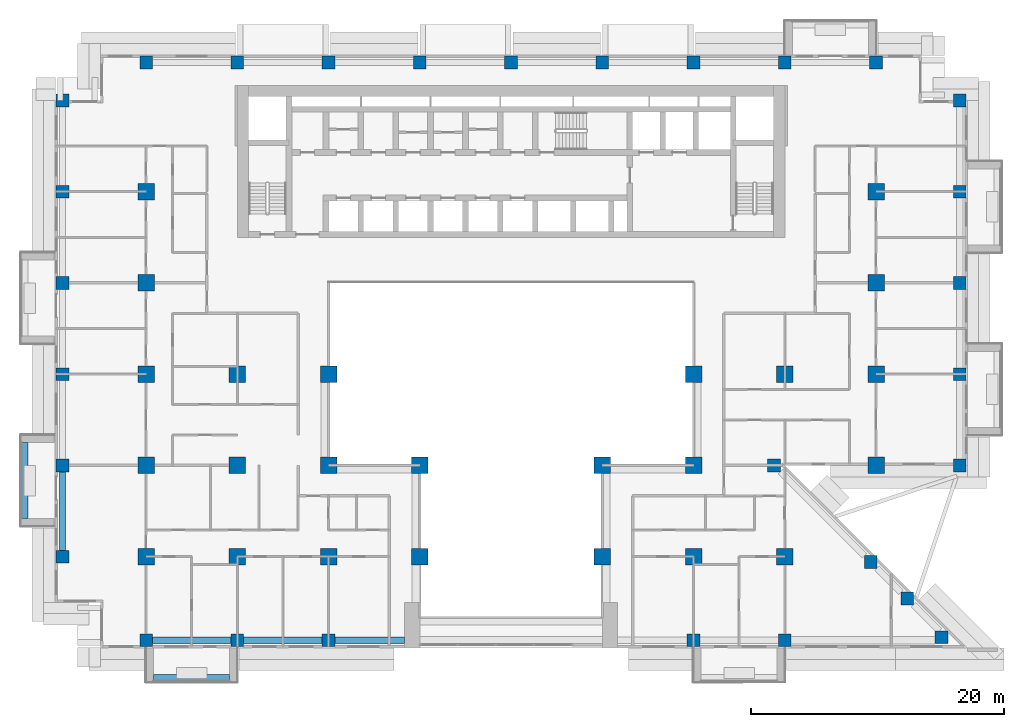
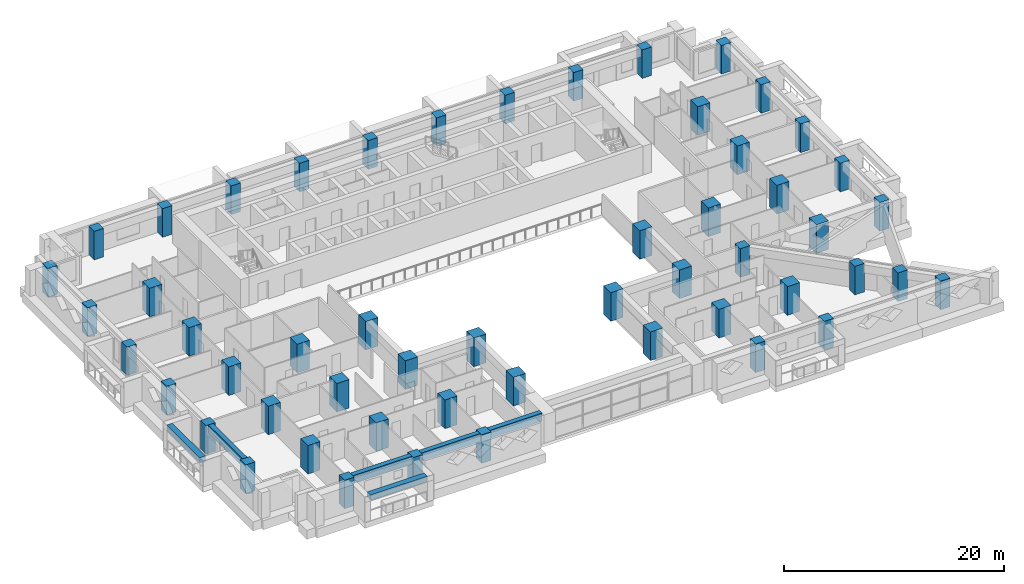
# One storey, part 1 of 17: 53 columns, 6 beams.
"""IFC4 building model written with IfcOpenShell, lengths in metres."""

from ifc_helpers import new_model, si_unit, direction, frame, origin, origin_2d, place, context, subcontext, project, spatial, rectangle, extrude, source, transform, mapped, material, material_profile, profile_set, type_object, element, save


model = new_model("IFC4")

# Units and contexts
model_context = context("Model", 3, precision=1e-05, world=origin(), true_north=direction((0.0, 1.0)))
body_context = subcontext(model_context, "Body", "Model", "MODEL_VIEW")
ifc_project = project(units=[si_unit("LENGTHUNIT", "METRE"), si_unit("AREAUNIT", "SQUARE_METRE"), si_unit("VOLUMEUNIT", "CUBIC_METRE"), si_unit("PLANEANGLEUNIT", "RADIAN"), si_unit("MASSUNIT", "GRAM", prefix="KILO")], contexts=[model_context])

# Site, building, storey
site_placement = place(None, origin())
site = spatial("IfcSite", under=ifc_project, at=site_placement, CompositionType="ELEMENT")
building_placement = place(site_placement, origin())
building = spatial("IfcBuilding", under=site, at=building_placement, Name="Saffron Iwan Residences", CompositionType="ELEMENT")
storey_placement = place(building_placement, frame((0.0, 0.0, 72.5)))
storey = spatial("IfcBuildingStorey", under=building, at=storey_placement, Name="L18", CompositionType="ELEMENT", Elevation=72.5)

# Columns
ifc_material_1 = material(Name="Concrete C60/75", Category="concrete")
ifc_material_profile_1 = material_profile(ifc_material_1, rectangle(XDim=1.0, YDim=1.0, at=origin_2d()), Name="RC 1000x1000")
ifc_profile_set_1 = profile_set([ifc_material_profile_1], Name="Concrete C60/75")
column_type_1 = type_object("IfcColumnType", Name="COL RC 1000x1000 C60/75 3180 HIGH", PredefinedType="COLUMN", material=ifc_profile_set_1)
shared_shape_1 = source(origin(), body_context, "Body", "SweptSolid", [
    extrude(rectangle(XDim=1.0, YDim=1.0, at=origin_2d()), origin(), (0.0, 0.0, 1.0), 3.179931640625),
])
for number, where, z_axis, x_axis, name in (
    (1, (21.60009765625, 34.199951171875, 0.0), (0.0, 0.0, 1.0), (1.0, 0.0, 0.0), "Column C038"),
    (2, (28.800048828125, 34.199951171875, 0.0), (0.0, 0.0, 1.0), (1.0, 0.0, 0.0), "Column C039"),
    (3, (36.0, 34.199951171875, 0.0), (0.0, 0.0, 1.0), (1.0, 0.0, 0.0), "Column C040"),
    (4, (64.800048828125, 34.199951171875, 0.0), (0.0, 0.0, 1.0), (1.0, 0.0, 0.0), "Column C041"),
    (5, (72.0, 34.199951171875, 0.0), (0.0, 0.0, 1.0), (1.0, 0.0, 0.0), "Column C042"),
    (6, (84.367431640625, 34.44189453125, 0.0), (0.0, 0.0, 1.0), (1.0, 0.0, 0.0), "Column C043"),
    (7, (81.65576171875, 37.49560546875, 0.0), (0.0, 0.0, 1.0), (1.0, 0.0, 0.0), "Column C044"),
    (8, (78.775634765625, 40.375732421875, 0.0), (0.0, 0.0, 1.0), (1.0, 0.0, 0.0), "Column C047"),
    (9, (15.0, 40.800048828125, 0.0), (0.0, 0.0, 1.0), (1.0, 0.0, 0.0), "Column C048"),
    (10, (15.0, 48.0, 0.0), (0.0, 0.0, 1.0), (1.0, 0.0, 0.0), "Column C061"),
    (11, (71.14990234375, 48.0, 0.0), (0.0, 0.0, 1.0), (1.0, 0.0, 0.0), "Column C070"),
    (12, (85.800048828125, 48.0, 0.0), (0.0, 0.0, 1.0), (1.0, 0.0, 0.0), "Column C074"),
    (13, (15.0, 55.199951171875, 0.0), (0.0, 0.0, 1.0), (1.0, 0.0, 0.0), "Column C077"),
    (14, (85.800048828125, 55.199951171875, 0.0), (0.0, 0.0, 1.0), (1.0, 0.0, 0.0), "Column C086"),
    (15, (15.0, 62.39990234375, 0.0), (0.0, 0.0, 1.0), (1.0, 0.0, 0.0), "Column C089"),
    (16, (85.800048828125, 62.39990234375, 0.0), (0.0, 0.0, 1.0), (1.0, 0.0, 0.0), "Column C094"),
    (17, (15.0, 69.60009765625, 0.0), (0.0, 0.0, 1.0), (1.0, 0.0, 0.0), "Column C097"),
    (18, (85.800048828125, 69.60009765625, 0.0), (0.0, 0.0, 1.0), (1.0, 0.0, 0.0), "Column C102"),
    (19, (15.0, 76.800048828125, 0.0), (0.0, 0.0, 1.0), (1.0, 0.0, 0.0), "Column C105"),
    (20, (85.800048828125, 76.800048828125, 0.0), (0.0, 0.0, 1.0), (1.0, 0.0, 0.0), "Column C110"),
    (21, (21.60009765625, 79.800048828125, 0.0), (0.0, 0.0, 1.0), (1.0, 0.0, 0.0), "Column C113"),
    (22, (28.800048828125, 79.800048828125, 0.0), (0.0, 0.0, 1.0), (1.0, 0.0, 0.0), "Column C115"),
    (23, (36.0, 79.800048828125, 0.0), (0.0, 0.0, 1.0), (1.0, 0.0, 0.0), "Column C116"),
    (24, (43.199951171875, 79.800048828125, 0.0), (0.0, 0.0, 1.0), (1.0, 0.0, 0.0), "Column C117"),
    (25, (50.39990234375, 79.800048828125, 0.0), (0.0, 0.0, 1.0), (1.0, 0.0, 0.0), "Column C118"),
    (26, (57.60009765625, 79.800048828125, 0.0), (0.0, 0.0, 1.0), (1.0, 0.0, 0.0), "Column C119"),
    (27, (64.800048828125, 79.800048828125, 0.0), (0.0, 0.0, 1.0), (1.0, 0.0, 0.0), "Column C120"),
    (28, (72.0, 79.800048828125, 0.0), (0.0, 0.0, 1.0), (1.0, 0.0, 0.0), "Column C121"),
    (29, (79.199951171875, 79.800048828125, 0.0), (0.0, 0.0, 1.0), (1.0, 0.0, 0.0), "Column C123"),
):
    element("IfcColumn", number, at=place(storey_placement, frame(where, z_axis=z_axis, x_axis=x_axis)), inside=storey, type_object=column_type_1, Name=name, PredefinedType="COLUMN", context=body_context, shape_type="MappedRepresentation", body=[
        mapped(shared_shape_1, transform((0.0, 0.0, 0.0))),
    ])
ifc_material_profile_2 = material_profile(ifc_material_1, rectangle(XDim=1.300048828125, YDim=1.300048828125, at=origin_2d()), Name="RC 1300x1300")
ifc_profile_set_2 = profile_set([ifc_material_profile_2], Name="Concrete C60/75")
column_type_2 = type_object("IfcColumnType", Name="COL RC 1300x1300 C60/75 3180 HIGH", PredefinedType="COLUMN", material=ifc_profile_set_2)
shared_shape_2 = source(origin(), body_context, "Body", "SweptSolid", [
    extrude(rectangle(XDim=1.300048828125, YDim=1.300048828125, at=origin_2d()), origin(), (0.0, 0.0, 1.0), 3.179931640625),
])
for number, where, z_axis, x_axis, name in (
    (30, (21.60009765625, 40.800048828125, 0.0), (0.0, 0.0, 1.0), (1.0, 0.0, 0.0), "Column C049"),
    (31, (28.800048828125, 40.800048828125, 0.0), (0.0, 0.0, 1.0), (1.0, 0.0, 0.0), "Column C051"),
    (32, (36.0, 40.800048828125, 0.0), (0.0, 0.0, 1.0), (1.0, 0.0, 0.0), "Column C052"),
    (33, (43.199951171875, 40.800048828125, 0.0), (0.0, 0.0, 1.0), (1.0, 0.0, 0.0), "Column C053"),
    (34, (57.60009765625, 40.800048828125, 0.0), (0.0, 0.0, 1.0), (1.0, 0.0, 0.0), "Column C054"),
    (35, (64.800048828125, 40.800048828125, 0.0), (0.0, 0.0, 1.0), (1.0, 0.0, 0.0), "Column C055"),
    (36, (72.0, 40.800048828125, 0.0), (0.0, 0.0, 1.0), (1.0, 0.0, 0.0), "Column C056"),
    (37, (21.60009765625, 48.0, 0.0), (0.0, 0.0, 1.0), (1.0, 0.0, 0.0), "Column C063"),
    (38, (28.800048828125, 48.0, 0.0), (0.0, 0.0, 1.0), (1.0, 0.0, 0.0), "Column C064"),
    (39, (36.0, 48.0, 0.0), (0.0, 0.0, 1.0), (1.0, 0.0, 0.0), "Column C065"),
    (40, (43.199951171875, 48.0, 0.0), (0.0, 0.0, 1.0), (1.0, 0.0, 0.0), "Column C066"),
    (41, (57.60009765625, 48.0, 0.0), (0.0, 0.0, 1.0), (1.0, 0.0, 0.0), "Column C068"),
    (42, (64.800048828125, 48.0, 0.0), (0.0, 0.0, 1.0), (1.0, 0.0, 0.0), "Column C069"),
    (43, (79.199951171875, 48.0, 0.0), (0.0, 0.0, 1.0), (1.0, 0.0, 0.0), "Column C072"),
    (44, (21.60009765625, 55.199951171875, 0.0), (0.0, 0.0, 1.0), (1.0, 0.0, 0.0), "Column C079"),
    (45, (28.800048828125, 55.199951171875, 0.0), (0.0, 0.0, 1.0), (1.0, 0.0, 0.0), "Column C080"),
    (46, (36.0, 55.199951171875, 0.0), (0.0, 0.0, 1.0), (1.0, 0.0, 0.0), "Column C081"),
    (47, (64.800048828125, 55.199951171875, 0.0), (0.0, 0.0, 1.0), (1.0, 0.0, 0.0), "Column C082"),
    (48, (72.0, 55.199951171875, 0.0), (0.0, 0.0, 1.0), (1.0, 0.0, 0.0), "Column C083"),
    (49, (79.199951171875, 55.199951171875, 0.0), (0.0, 0.0, 1.0), (1.0, 0.0, 0.0), "Column C084"),
    (50, (21.60009765625, 62.39990234375, 0.0), (0.0, 0.0, 1.0), (1.0, 0.0, 0.0), "Column C091"),
    (51, (79.199951171875, 62.39990234375, 0.0), (0.0, 0.0, 1.0), (1.0, 0.0, 0.0), "Column C092"),
    (52, (21.60009765625, 69.60009765625, 0.0), (0.0, 0.0, 1.0), (1.0, 0.0, 0.0), "Column C099"),
    (53, (79.199951171875, 69.60009765625, 0.0), (0.0, 0.0, 1.0), (1.0, 0.0, 0.0), "Column C100"),
):
    element("IfcColumn", number, at=place(storey_placement, frame(where, z_axis=z_axis, x_axis=x_axis)), inside=storey, type_object=column_type_2, Name=name, PredefinedType="COLUMN", context=body_context, shape_type="MappedRepresentation", body=[
        mapped(shared_shape_2, transform((0.0, 0.0, 0.0))),
    ])

# Beams
ifc_material_profile_3 = material_profile(ifc_material_1, rectangle(XDim=0.5, YDim=0.89990234375, at=origin_2d()), Name="RC 500x900")
ifc_profile_set_3 = profile_set([ifc_material_profile_3], Name="Concrete C60/75")
beam_type_1 = type_object("IfcBeamType", Name="SPANDREL BEAM RC 500x900 C60/75 TOP 3180", PredefinedType="SPANDREL", material=ifc_profile_set_3)
shared_shape_3 = source(origin(), body_context, "Body", "SweptSolid", [
    extrude(rectangle(XDim=0.5, YDim=0.89990234375, at=origin_2d()), origin(), (0.0, 0.0, 1.0), 6.199951171875),
])
for number, where, z_axis, x_axis, name in (
    (54, (28.300048828125, 34.199951171875, 2.72998046875), (-1.0, 0.0, 0.0), (0.0, -1.0, 0.0), "Spandrel beam"),
    (55, (35.5, 34.199951171875, 2.72998046875), (-1.0, 0.0, 0.0), (0.0, -1.0, 0.0), "Spandrel beam"),
    (56, (15.0, 41.300048828125, 2.72998046875), (0.0, 1.0, 0.0), (-1.0, 0.0, 0.0), "Spandrel beam"),
):
    element("IfcBeam", number, at=place(storey_placement, frame(where, z_axis=z_axis, x_axis=x_axis)), inside=storey, type_object=beam_type_1, Name=name, PredefinedType="SPANDREL", context=body_context, shape_type="MappedRepresentation", body=[
        mapped(shared_shape_3, transform((0.0, 0.0, 0.0))),
    ])
shared_shape_4 = source(origin(), body_context, "Body", "SweptSolid", [
    extrude(rectangle(XDim=0.5, YDim=0.89990234375, at=origin_2d()), origin(), (0.0, 0.0, 1.0), 5.5),
])
beam_placement = place(storey_placement, frame((42.0, 34.199951171875, 2.72998046875), z_axis=(-1.0, 0.0, 0.0), x_axis=(0.0, -1.0, 0.0)))
element("IfcBeam", 57, at=beam_placement, inside=storey, type_object=beam_type_1, Name="Spandrel beam", PredefinedType="SPANDREL", context=body_context, shape_type="MappedRepresentation", body=[
    mapped(shared_shape_4, transform((0.0, 0.0, 0.0))),
])
ifc_material_2 = material(Name="Concrete C50/60 white painted", Category="concrete")
ifc_material_profile_4 = material_profile(ifc_material_2, rectangle(XDim=0.60009765625, YDim=0.60009765625, at=origin_2d()), Name="BALCONY FASCIA BEAM 600 x 600")
ifc_profile_set_4 = profile_set([ifc_material_profile_4], Name="Concrete C50/60 white painted")
beam_type_2 = type_object("IfcBeamType", Name="BALCONY FASCIA BEAM 600 x 600", PredefinedType="BEAM", material=ifc_profile_set_4)
shared_shape_5 = source(origin(), body_context, "Body", "SweptSolid", [
    extrude(rectangle(XDim=0.60009765625, YDim=0.60009765625, at=origin_2d()), origin(), (0.0, 0.0, 1.0), 6.0),
])
for number, where, z_axis, x_axis, name in (
    (58, (12.0, 49.800048828125, 2.550048828125), (0.0, -1.0, 0.0), (1.0, 0.0, 0.0), "Balcony fascia beam L18 F8-1"),
    (59, (22.199951171875, 31.199951171875, 2.550048828125), (1.0, 0.0, 0.0), (0.0, 1.0, 0.0), "Balcony fascia beam L18 11-0"),
):
    element("IfcBeam", number, at=place(storey_placement, frame(where, z_axis=z_axis, x_axis=x_axis)), inside=storey, type_object=beam_type_2, Name=name, PredefinedType="BEAM", context=body_context, shape_type="MappedRepresentation", body=[
        mapped(shared_shape_5, transform((0.0, 0.0, 0.0))),
    ])

save(model, "model.ifc")
